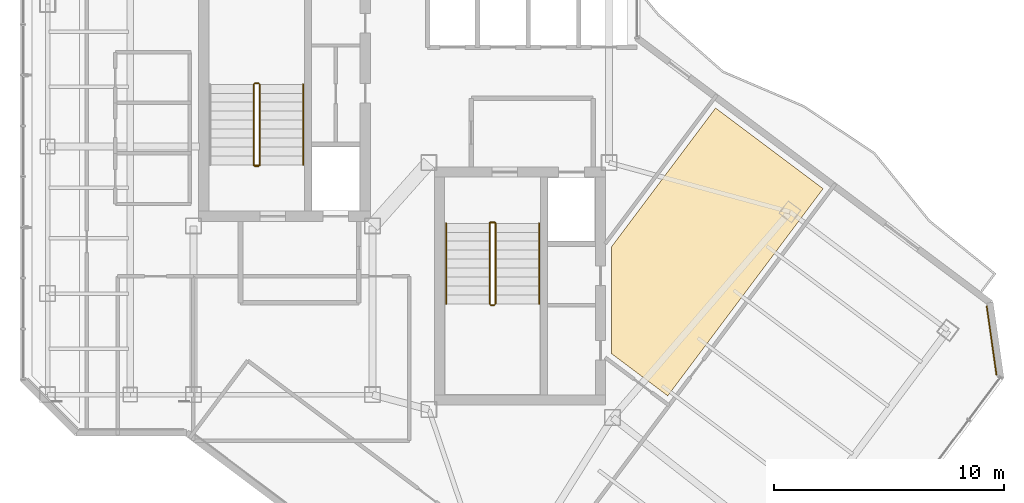
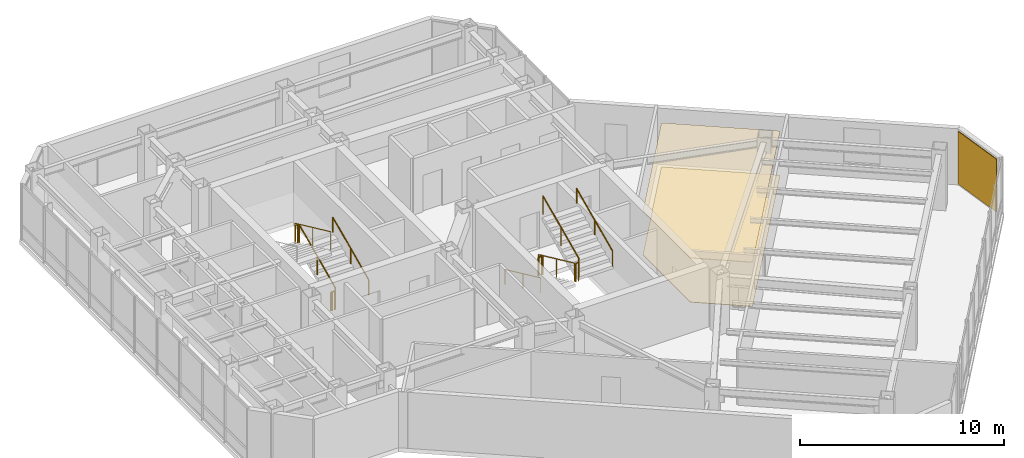
# One storey, part 23 of 25: 13 railings, 3 coverings.
"""IFC4 building model written with IfcOpenShell, lengths in metres."""

from ifc_helpers import new_model, si_unit, direction, frame, origin, origin_2d, place, context, subcontext, project, spatial, polyline, rectangle, circle, outline, extrude, material, layer, layer_set, type_object, element, save


model = new_model("IFC4")

# Units and contexts
model_context = context("Model", 3, precision=1e-05, world=origin(), true_north=direction((0.0, 1.0)))
body_context = subcontext(model_context, "Body", "Model", "MODEL_VIEW")
ifc_project = project(units=[si_unit("LENGTHUNIT", "METRE"), si_unit("AREAUNIT", "SQUARE_METRE"), si_unit("VOLUMEUNIT", "CUBIC_METRE"), si_unit("PLANEANGLEUNIT", "RADIAN"), si_unit("MASSUNIT", "GRAM", prefix="KILO")], contexts=[model_context])

# Site, building, storey
site_placement = place(None, origin())
site = spatial("IfcSite", under=ifc_project, at=site_placement, CompositionType="ELEMENT")
building_placement = place(site_placement, origin())
building = spatial("IfcBuilding", under=site, at=building_placement, Name="Hatsunagi Terrace Concourse", CompositionType="ELEMENT")
storey_placement = place(building_placement, frame((0.0, 0.0, 220.35009765625)))
storey = spatial("IfcBuildingStorey", under=building, at=storey_placement, Name="L58", CompositionType="ELEMENT", Elevation=220.35009765625)

# Covering
ifc_material_1 = material(Name="Granite stone paving", Category="masonry")
ifc_layer_1 = layer(ifc_material_1, 0.02490234375)
ifc_layer_set_1 = layer_set([ifc_layer_1], Name="GraniteStoneFlooring_25")
covering_type_1 = type_object("IfcCoveringType", Name="GraniteStoneFlooring_25", PredefinedType="FLOORING", material=ifc_layer_set_1)
covering_1_placement = place(storey_placement, origin())
element("IfcCovering", 1, at=covering_1_placement, inside=storey, type_object=covering_type_1, Name="Finished Flooring L58-1", PredefinedType="FLOORING", context=body_context, shape_type="SweptSolid", body=[
    extrude(outline(polyline([(48.281982421875, 37.676025390625), (43.75, 31.634033203125), (43.75, 26.988037109375), (46.199951171875, 25.14990234375), (52.9619140625, 34.166015625), (48.281982421875, 37.676025390625)])), origin(), (0.0, 0.0, 1.0), 0.02490234375),
])

# Railings
ifc_material_2 = material(Name="Stainless steel", Category="steel")
ifc_layer_2 = layer(ifc_material_2, 0.044921875)
ifc_layer_set_2 = layer_set([ifc_layer_2], Name="StairPitchHandrail_Tower2000")
railing_type_1 = type_object("IfcRailingType", Name="StairPitchHandrail_Tower2000", PredefinedType="HANDRAIL", material=ifc_layer_set_2)
railing_1_placement = place(storey_placement, frame((30.330078125, 35.199951171875, 0.179931640625)))
element("IfcRailing", 2, at=railing_1_placement, inside=storey, type_object=railing_type_1, Name="L58 ST-A stair handrail 1", PredefinedType="HANDRAIL", context=body_context, shape_type="SweptSolid", body=[
    extrude(circle(Radius=0.02392578125, at=origin_2d()), frame((0.0, 0.0, 0.8759765625), z_axis=(0.0, 0.907972323039, 0.419030142823), x_axis=(-1.0, 0.0, 0.0)), (0.0, 0.0, 1.0), 3.86572265625),
    extrude(circle(Radius=0.02099609375, at=origin_2d()), origin(), (0.0, 0.0, 1.0), 0.851806640625),
    extrude(circle(Radius=0.02099609375, at=origin_2d()), frame((0.0, 1.7548828125, 0.81005859375)), (0.0, 0.0, 1.0), 0.851806640625),
    extrude(circle(Radius=0.02099609375, at=origin_2d()), frame((0.0, 3.510009765625, 1.619873046875)), (0.0, 0.0, 1.0), 0.851806640625),
])
railing_2_placement = place(storey_placement, frame((36.550048828125, 32.659912109375, 0.179931640625)))
element("IfcRailing", 3, at=railing_2_placement, inside=storey, type_object=railing_type_1, Name="L58 ST-B stair handrail 1", PredefinedType="HANDRAIL", context=body_context, shape_type="SweptSolid", body=[
    extrude(circle(Radius=0.02392578125, at=origin_2d()), frame((0.0, 0.0, 0.8759765625), z_axis=(0.0, -0.907972323039, 0.419030142823), x_axis=(1.0, 0.0, 0.0)), (0.0, 0.0, 1.0), 3.86572265625),
    extrude(circle(Radius=0.02099609375, at=origin_2d()), origin(), (0.0, 0.0, 1.0), 0.851806640625),
    extrude(circle(Radius=0.02099609375, at=origin_2d()), frame((0.0, -1.7548828125, 0.81005859375)), (0.0, 0.0, 1.0), 0.851806640625),
    extrude(circle(Radius=0.02099609375, at=origin_2d()), frame((0.0, -3.510009765625, 1.619873046875)), (0.0, 0.0, 1.0), 0.851806640625),
])
railing_3_placement = place(storey_placement, frame((40.60009765625, 29.14990234375, 1.97998046875)))
element("IfcRailing", 4, at=railing_3_placement, inside=storey, type_object=railing_type_1, Name="L58 ST-B stair handrail 2", PredefinedType="HANDRAIL", context=body_context, shape_type="SweptSolid", body=[
    extrude(circle(Radius=0.02392578125, at=origin_2d()), frame((0.0, 0.0, 0.8759765625), z_axis=(0.0, 0.907972323039, 0.419030142823), x_axis=(-1.0, 0.0, 0.0)), (0.0, 0.0, 1.0), 3.86572265625),
    extrude(circle(Radius=0.02099609375, at=origin_2d()), origin(), (0.0, 0.0, 1.0), 0.851806640625),
    extrude(circle(Radius=0.02099609375, at=origin_2d()), frame((0.0, 1.7548828125, 0.81005859375)), (0.0, 0.0, 1.0), 0.851806640625),
    extrude(circle(Radius=0.02099609375, at=origin_2d()), frame((0.0, 3.510009765625, 1.619873046875)), (0.0, 0.0, 1.0), 0.851806640625),
])
ifc_material_3 = material(Name="Stainless steel", Category="steel")
ifc_layer_3 = layer(ifc_material_3, 0.06005859375)
ifc_layer_set_3 = layer_set([ifc_layer_3], Name="StairWellGuard_Tower2000")
railing_type_2 = type_object("IfcRailingType", Name="StairWellGuard_Tower2000", PredefinedType="BALUSTRADE", material=ifc_layer_set_3)
railing_4_placement = place(storey_placement, frame((28.429931640625, 35.199951171875, 0.179931640625)))
element("IfcRailing", 5, at=railing_4_placement, inside=storey, type_object=railing_type_2, Name="L58 ST-A stair guard 1", PredefinedType="BALUSTRADE", context=body_context, shape_type="SweptSolid", body=[
    extrude(circle(Radius=0.02392578125, at=origin_2d()), frame((0.0, 0.0, 1.09619140625), z_axis=(0.0, 0.907972323039, 0.419030142823), x_axis=(-1.0, 0.0, 0.0)), (0.0, 0.0, 1.0), 3.86572265625),
    extrude(circle(Radius=0.02099609375, at=origin_2d()), origin(), (0.0, 0.0, 1.0), 1.072021484375),
    extrude(circle(Radius=0.02099609375, at=origin_2d()), frame((0.0, 1.7548828125, 0.81005859375)), (0.0, 0.0, 1.0), 1.072021484375),
    extrude(circle(Radius=0.02099609375, at=origin_2d()), frame((0.0, 3.510009765625, 1.619873046875)), (0.0, 0.0, 1.0), 1.072021484375),
])
railing_5_placement = place(storey_placement, frame((28.3798828125, 38.760009765625, 1.7998046875)))
element("IfcRailing", 6, at=railing_5_placement, inside=storey, type_object=railing_type_2, Name="L58 ST-A stair guard 2", PredefinedType="BALUSTRADE", context=body_context, shape_type="SweptSolid", body=[
    extrude(circle(Radius=0.02392578125, at=origin_2d()), frame((0.0, 0.0, 1.09619140625), z_axis=(-1.0, 0.0, 0.0), x_axis=(0.0, -1.0, 0.0)), (0.0, 0.0, 1.0), 0.14990234375),
    extrude(circle(Radius=0.02099609375, at=origin_2d()), origin(), (0.0, 0.0, 1.0), 1.072021484375),
    extrude(circle(Radius=0.02099609375, at=origin_2d()), frame((-0.14990234375, 0.0, 0.0)), (0.0, 0.0, 1.0), 1.072021484375),
])
railing_6_placement = place(storey_placement, frame((28.179931640625, 38.7099609375, 1.97998046875)))
element("IfcRailing", 7, at=railing_6_placement, inside=storey, type_object=railing_type_2, Name="L58 ST-A stair guard 3", PredefinedType="BALUSTRADE", context=body_context, shape_type="SweptSolid", body=[
    extrude(circle(Radius=0.02392578125, at=origin_2d()), frame((0.0, 0.0, 1.09619140625), z_axis=(0.0, -0.907972323039, 0.419030142823), x_axis=(1.0, 0.0, 0.0)), (0.0, 0.0, 1.0), 3.86572265625),
    extrude(circle(Radius=0.02099609375, at=origin_2d()), origin(), (0.0, 0.0, 1.0), 1.072021484375),
    extrude(circle(Radius=0.02099609375, at=origin_2d()), frame((0.0, -1.7548828125, 0.81005859375)), (0.0, 0.0, 1.0), 1.072021484375),
    extrude(circle(Radius=0.02099609375, at=origin_2d()), frame((0.0, -3.510009765625, 1.619873046875)), (0.0, 0.0, 1.0), 1.072021484375),
])
railing_7_placement = place(storey_placement, frame((28.3798828125, 35.14990234375, 0.0)))
element("IfcRailing", 8, at=railing_7_placement, inside=storey, type_object=railing_type_2, Name="L58 ST-A stair guard 4", PredefinedType="BALUSTRADE", context=body_context, shape_type="SweptSolid", body=[
    extrude(circle(Radius=0.02392578125, at=origin_2d()), frame((0.0, 0.0, 1.09619140625), z_axis=(-1.0, 0.0, 0.0), x_axis=(0.0, -1.0, 0.0)), (0.0, 0.0, 1.0), 0.14990234375),
    extrude(circle(Radius=0.02099609375, at=origin_2d()), origin(), (0.0, 0.0, 1.0), 1.072021484375),
    extrude(circle(Radius=0.02099609375, at=origin_2d()), frame((-0.14990234375, 0.0, 0.0)), (0.0, 0.0, 1.0), 1.072021484375),
])
railing_8_placement = place(storey_placement, frame((38.449951171875, 32.659912109375, 0.179931640625)))
element("IfcRailing", 9, at=railing_8_placement, inside=storey, type_object=railing_type_2, Name="L58 ST-B stair guard 1", PredefinedType="BALUSTRADE", context=body_context, shape_type="SweptSolid", body=[
    extrude(circle(Radius=0.02392578125, at=origin_2d()), frame((0.0, 0.0, 1.09619140625), z_axis=(0.0, -0.907972323039, 0.419030142823), x_axis=(1.0, 0.0, 0.0)), (0.0, 0.0, 1.0), 3.86572265625),
    extrude(circle(Radius=0.02099609375, at=origin_2d()), origin(), (0.0, 0.0, 1.0), 1.072021484375),
    extrude(circle(Radius=0.02099609375, at=origin_2d()), frame((0.0, -1.7548828125, 0.81005859375)), (0.0, 0.0, 1.0), 1.072021484375),
    extrude(circle(Radius=0.02099609375, at=origin_2d()), frame((0.0, -3.510009765625, 1.619873046875)), (0.0, 0.0, 1.0), 1.072021484375),
])
railing_9_placement = place(storey_placement, frame((38.5, 29.10009765625, 1.7998046875)))
element("IfcRailing", 10, at=railing_9_placement, inside=storey, type_object=railing_type_2, Name="L58 ST-B stair guard 2", PredefinedType="BALUSTRADE", context=body_context, shape_type="SweptSolid", body=[
    extrude(circle(Radius=0.02392578125, at=origin_2d()), frame((0.0, 0.0, 1.09619140625), z_axis=(1.0, 0.0, 0.0), x_axis=(0.0, 1.0, 0.0)), (0.0, 0.0, 1.0), 0.14990234375),
    extrude(circle(Radius=0.02099609375, at=origin_2d()), origin(), (0.0, 0.0, 1.0), 1.072021484375),
    extrude(circle(Radius=0.02099609375, at=origin_2d()), frame((0.14990234375, 0.0, 0.0)), (0.0, 0.0, 1.0), 1.072021484375),
])
railing_10_placement = place(storey_placement, frame((38.699951171875, 29.14990234375, 1.97998046875)))
element("IfcRailing", 11, at=railing_10_placement, inside=storey, type_object=railing_type_2, Name="L58 ST-B stair guard 3", PredefinedType="BALUSTRADE", context=body_context, shape_type="SweptSolid", body=[
    extrude(circle(Radius=0.02392578125, at=origin_2d()), frame((0.0, 0.0, 1.09619140625), z_axis=(0.0, 0.907972323039, 0.419030142823), x_axis=(-1.0, 0.0, 0.0)), (0.0, 0.0, 1.0), 3.86572265625),
    extrude(circle(Radius=0.02099609375, at=origin_2d()), origin(), (0.0, 0.0, 1.0), 1.072021484375),
    extrude(circle(Radius=0.02099609375, at=origin_2d()), frame((0.0, 1.7548828125, 0.81005859375)), (0.0, 0.0, 1.0), 1.072021484375),
    extrude(circle(Radius=0.02099609375, at=origin_2d()), frame((0.0, 3.510009765625, 1.619873046875)), (0.0, 0.0, 1.0), 1.072021484375),
])
railing_11_placement = place(storey_placement, frame((38.5, 32.7099609375, 0.0)))
element("IfcRailing", 12, at=railing_11_placement, inside=storey, type_object=railing_type_2, Name="L58 ST-B stair guard 4", PredefinedType="BALUSTRADE", context=body_context, shape_type="SweptSolid", body=[
    extrude(circle(Radius=0.02392578125, at=origin_2d()), frame((0.0, 0.0, 1.09619140625), z_axis=(1.0, 0.0, 0.0), x_axis=(0.0, 1.0, 0.0)), (0.0, 0.0, 1.0), 0.14990234375),
    extrude(circle(Radius=0.02099609375, at=origin_2d()), origin(), (0.0, 0.0, 1.0), 1.072021484375),
    extrude(circle(Radius=0.02099609375, at=origin_2d()), frame((0.14990234375, 0.0, 0.0)), (0.0, 0.0, 1.0), 1.072021484375),
])
ifc_material_4 = material(Name="Stainless Steel SUS316 Post-and-Rail Guard", Category="steel")
ifc_layer_4 = layer(ifc_material_4, 0.080078125)
ifc_layer_set_4 = layer_set([ifc_layer_4], Name="TerracePlantedGuardRail_1200")
railing_type_3 = type_object("IfcRailingType", Name="TerracePlantedGuardRail_1200", PredefinedType="GUARDRAIL", material=ifc_layer_set_4)
for number, where, name in (
    (13, (28.179931640625, 35.179931640625, 0.0), "Stair ST-A Well Closure Guard L58"),
    (14, (38.449951171875, 32.679931640625, 0.0), "Stair ST-B Well Closure Guard L58"),
):
    element("IfcRailing", number, at=place(storey_placement, frame(where)), inside=storey, type_object=railing_type_3, Name=name, PredefinedType="GUARDRAIL", context=body_context, shape_type="SweptSolid", body=[
        extrude(circle(Radius=0.02392578125, at=origin_2d()), frame((0.0, 0.0, 1.09619140625), z_axis=(1.0, 0.0, 0.0), x_axis=(0.0, 1.0, 0.0)), (0.0, 0.0, 1.0), 0.25),
        extrude(circle(Radius=0.02099609375, at=origin_2d()), origin(), (0.0, 0.0, 1.0), 1.072021484375),
        extrude(circle(Radius=0.02099609375, at=origin_2d()), frame((0.25, 0.0, 0.0)), (0.0, 0.0, 1.0), 1.072021484375),
    ])

# Coverings
ifc_material_5 = material(Name="Unglazed Warm Terracotta Rainscreen Tile", Category="masonry")
ifc_layer_5 = layer(ifc_material_5, 0.044921875)
ifc_layer_set_5 = layer_set([ifc_layer_5], Name="TerracottaRainscreenCladding_45")
covering_type_2 = type_object("IfcCoveringType", Name="TerracottaRainscreenCladding_45", PredefinedType="CLADDING", material=ifc_layer_set_5)
covering_2_placement = place(storey_placement, frame((60.301025390625, 27.55810546875, 0.099853515625), z_axis=(0.0, 0.0, 1.0), x_axis=(0.141250262458, -0.989973920543, 0.0)))
element("IfcCovering", 15, at=covering_2_placement, inside=storey, type_object=covering_type_2, Name="Terracotta Rainscreen Cladding L58-02", PredefinedType="CLADDING", context=body_context, shape_type="SweptSolid", body=[
    extrude(rectangle(XDim=3.0380859375, YDim=0.044921875, at=origin_2d()), origin(), (0.0, 0.0, 1.0), 3.14990234375),
])
ifc_material_6 = material(Name="Hardwood timber", Category="wood")
ifc_layer_6 = layer(ifc_material_6, 0.034912109375)
ifc_layer_set_6 = layer_set([ifc_layer_6], Name="TimberBaffleCeiling_35")
covering_type_3 = type_object("IfcCoveringType", Name="TimberBaffleCeiling_35", PredefinedType="CEILING", material=ifc_layer_set_6)
covering_3_placement = place(storey_placement, frame((0.0, 0.0, 2.6298828125)))
element("IfcCovering", 16, at=covering_3_placement, inside=storey, type_object=covering_type_3, Name="Suspended Ceiling L58-1", PredefinedType="CEILING", context=body_context, shape_type="SweptSolid", body=[
    extrude(outline(polyline([(48.281982421875, 37.676025390625), (43.75, 31.634033203125), (43.75, 26.988037109375), (46.199951171875, 25.14990234375), (52.9619140625, 34.166015625), (48.281982421875, 37.676025390625)])), origin(), (0.0, 0.0, 1.0), 0.034912109375),
])

save(model, "model.ifc")
